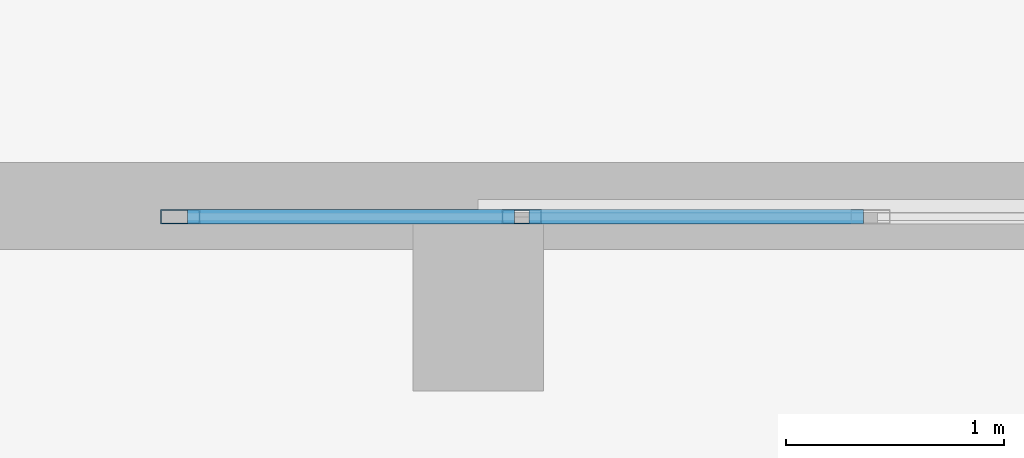
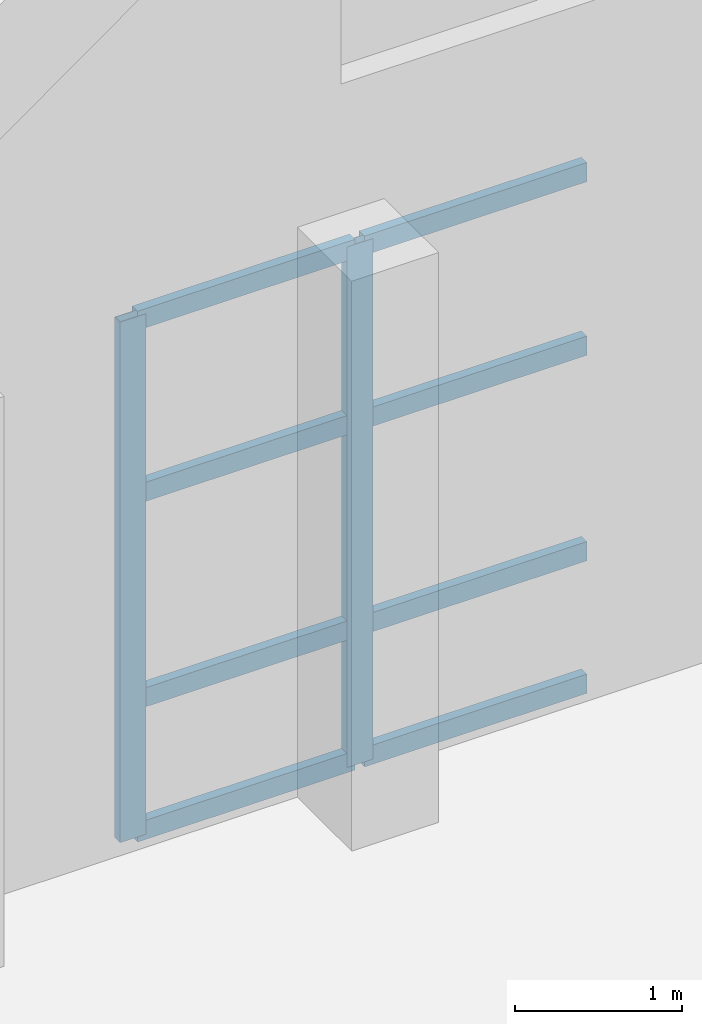
# One storey, part 19 of 114: 10 members, 1 element without a shape of its own.
"""IFC4 building model written with IfcOpenShell, lengths in metres."""

from ifc_helpers import new_model, si_unit, direction, frame, origin, origin_2d, place, context, subcontext, project, spatial, hollow_rectangle, extrude, material, layer, layer_set, material_profile, profile_set, type_object, element, aggregate, save


model = new_model("IFC4")

# Units and contexts
model_context = context("Model", 3, precision=1e-05, world=origin(), true_north=direction((0.0, 1.0)))
body_context = subcontext(model_context, "Body", "Model", "MODEL_VIEW")
ifc_project = project(units=[si_unit("LENGTHUNIT", "METRE"), si_unit("AREAUNIT", "SQUARE_METRE"), si_unit("VOLUMEUNIT", "CUBIC_METRE"), si_unit("PLANEANGLEUNIT", "RADIAN"), si_unit("MASSUNIT", "GRAM", prefix="KILO")], contexts=[model_context])

# Site, building, storey
site_placement = place(None, origin())
site = spatial("IfcSite", under=ifc_project, at=site_placement, CompositionType="ELEMENT")
building_placement = place(site_placement, origin())
building = spatial("IfcBuilding", under=site, at=building_placement, Name="Keldmere Railside Commons", CompositionType="ELEMENT")
storey_placement = place(building_placement, origin())
storey = spatial("IfcBuildingStorey", under=building, at=storey_placement, Name="L00", CompositionType="ELEMENT", Elevation=0.0)

# Curtain wall, members
ifc_material = material(Name="Thermally Broken Aluminium", Category="aluminium")
ifc_layer = layer(ifc_material, 0.159912109375, Name="Community Hall Foyer Glazed Screen CW 4800x3800")
ifc_layer_set = layer_set([ifc_layer], Name="Thermally Broken Aluminium")
curtain_wall_type = type_object("IfcCurtainWallType", Name="Community Hall Foyer Glazed Screen CW 4800x3800", PredefinedType="NOTDEFINED", material=ifc_layer_set)
curtain_wall_placement = place(storey_placement, origin())
curtain_wall = element("IfcCurtainWall", 1, at=curtain_wall_placement, inside=storey, type_object=curtain_wall_type, Name="CW-05 CW-L00-211", PredefinedType="NOTDEFINED")
ifc_material_profile_1 = material_profile(ifc_material, hollow_rectangle(XDim=0.06494140625, YDim=0.179931640625, WallThickness=0.00390625, at=origin_2d()), Name="ALU-MULL-65x180")
ifc_profile_set_1 = profile_set([ifc_material_profile_1], Name="Thermally Broken Aluminium")
member_type_1 = type_object("IfcMemberType", Name="Civic Tall Curtain Wall Mullion 65x180", PredefinedType="MULLION", material=ifc_profile_set_1)
member_1_placement = place(storey_placement, frame((77.632568359375, 47.14990234375, 0.0), z_axis=(0.0, 0.0, 1.0), x_axis=(0.0, 1.0, 0.0)))
member_1 = element("IfcMember", 2, at=member_1_placement, type_object=member_type_1, Name="CW-05 mullion 1", PredefinedType="MULLION", context=body_context, shape_type="SweptSolid", body=[
    extrude(hollow_rectangle(XDim=0.06494140625, YDim=0.179931640625, WallThickness=0.00390625, at=origin_2d()), origin(), (0.0, 0.0, 1.0), 3.800048828125),
])
member_2_placement = place(storey_placement, frame((79.199951171875, 47.14990234375, 0.0), z_axis=(0.0, 0.0, 1.0), x_axis=(0.0, 1.0, 0.0)))
member_2 = element("IfcMember", 3, at=member_2_placement, type_object=member_type_1, Name="CW-05 mullion 2", PredefinedType="MULLION", context=body_context, shape_type="SweptSolid", body=[
    extrude(hollow_rectangle(XDim=0.06494140625, YDim=0.179931640625, WallThickness=0.00390625, at=origin_2d()), origin(), (0.0, 0.0, 1.0), 3.800048828125),
])
ifc_material_profile_2 = material_profile(ifc_material, hollow_rectangle(XDim=0.06494140625, YDim=0.139892578125, WallThickness=0.00390625, at=origin_2d()), Name="ALU-TRAN-65x140")
ifc_profile_set_2 = profile_set([ifc_material_profile_2], Name="Thermally Broken Aluminium")
member_type_2 = type_object("IfcMemberType", Name="Civic Tall Curtain Wall Transom 65x140", PredefinedType="USERDEFINED", material=ifc_profile_set_2)
member_3_placement = place(storey_placement, frame((77.6650390625, 47.14990234375, 0.032470703125), z_axis=(1.0, 0.0, 0.0), x_axis=(0.0, 1.0, 0.0)))
member_3 = element("IfcMember", 4, at=member_3_placement, type_object=member_type_2, Name="CW-05 transom 1.1", ObjectType="TRANSOM", PredefinedType="USERDEFINED", context=body_context, shape_type="SweptSolid", body=[
    extrude(hollow_rectangle(XDim=0.06494140625, YDim=0.139892578125, WallThickness=0.00390625, at=origin_2d()), origin(), (0.0, 0.0, 1.0), 1.50244140625),
])
member_4_placement = place(storey_placement, frame((77.6650390625, 47.14990234375, 1.0), z_axis=(1.0, 0.0, 0.0), x_axis=(0.0, 1.0, 0.0)))
member_4 = element("IfcMember", 5, at=member_4_placement, type_object=member_type_2, Name="CW-05 transom 1.2", ObjectType="TRANSOM", PredefinedType="USERDEFINED", context=body_context, shape_type="SweptSolid", body=[
    extrude(hollow_rectangle(XDim=0.06494140625, YDim=0.139892578125, WallThickness=0.00390625, at=origin_2d()), origin(), (0.0, 0.0, 1.0), 1.50244140625),
])
member_5_placement = place(storey_placement, frame((77.6650390625, 47.14990234375, 2.5), z_axis=(1.0, 0.0, 0.0), x_axis=(0.0, 1.0, 0.0)))
member_5 = element("IfcMember", 6, at=member_5_placement, type_object=member_type_2, Name="CW-05 transom 1.3", ObjectType="TRANSOM", PredefinedType="USERDEFINED", context=body_context, shape_type="SweptSolid", body=[
    extrude(hollow_rectangle(XDim=0.06494140625, YDim=0.139892578125, WallThickness=0.00390625, at=origin_2d()), origin(), (0.0, 0.0, 1.0), 1.50244140625),
])
member_6_placement = place(storey_placement, frame((77.6650390625, 47.14990234375, 3.767578125), z_axis=(1.0, 0.0, 0.0), x_axis=(0.0, 1.0, 0.0)))
member_6 = element("IfcMember", 7, at=member_6_placement, type_object=member_type_2, Name="CW-05 transom 1.4", ObjectType="TRANSOM", PredefinedType="USERDEFINED", context=body_context, shape_type="SweptSolid", body=[
    extrude(hollow_rectangle(XDim=0.06494140625, YDim=0.139892578125, WallThickness=0.00390625, at=origin_2d()), origin(), (0.0, 0.0, 1.0), 1.50244140625),
])
member_7_placement = place(storey_placement, frame((79.232421875, 47.14990234375, 0.032470703125), z_axis=(1.0, 0.0, 0.0), x_axis=(0.0, 1.0, 0.0)))
member_7 = element("IfcMember", 8, at=member_7_placement, type_object=member_type_2, Name="CW-05 transom 2.1", ObjectType="TRANSOM", PredefinedType="USERDEFINED", context=body_context, shape_type="SweptSolid", body=[
    extrude(hollow_rectangle(XDim=0.06494140625, YDim=0.139892578125, WallThickness=0.00390625, at=origin_2d()), origin(), (0.0, 0.0, 1.0), 1.53515625),
])
member_8_placement = place(storey_placement, frame((79.232421875, 47.14990234375, 1.0), z_axis=(1.0, 0.0, 0.0), x_axis=(0.0, 1.0, 0.0)))
member_8 = element("IfcMember", 9, at=member_8_placement, type_object=member_type_2, Name="CW-05 transom 2.2", ObjectType="TRANSOM", PredefinedType="USERDEFINED", context=body_context, shape_type="SweptSolid", body=[
    extrude(hollow_rectangle(XDim=0.06494140625, YDim=0.139892578125, WallThickness=0.00390625, at=origin_2d()), origin(), (0.0, 0.0, 1.0), 1.53515625),
])
member_9_placement = place(storey_placement, frame((79.232421875, 47.14990234375, 2.5), z_axis=(1.0, 0.0, 0.0), x_axis=(0.0, 1.0, 0.0)))
member_9 = element("IfcMember", 10, at=member_9_placement, type_object=member_type_2, Name="CW-05 transom 2.3", ObjectType="TRANSOM", PredefinedType="USERDEFINED", context=body_context, shape_type="SweptSolid", body=[
    extrude(hollow_rectangle(XDim=0.06494140625, YDim=0.139892578125, WallThickness=0.00390625, at=origin_2d()), origin(), (0.0, 0.0, 1.0), 1.53515625),
])
member_10_placement = place(storey_placement, frame((79.232421875, 47.14990234375, 3.767578125), z_axis=(1.0, 0.0, 0.0), x_axis=(0.0, 1.0, 0.0)))
member_10 = element("IfcMember", 11, at=member_10_placement, type_object=member_type_2, Name="CW-05 transom 2.4", ObjectType="TRANSOM", PredefinedType="USERDEFINED", context=body_context, shape_type="SweptSolid", body=[
    extrude(hollow_rectangle(XDim=0.06494140625, YDim=0.139892578125, WallThickness=0.00390625, at=origin_2d()), origin(), (0.0, 0.0, 1.0), 1.53515625),
])
aggregate(curtain_wall, [member_1, member_2, member_3, member_4, member_5, member_6, member_7, member_8, member_9, member_10])

save(model, "model.ifc")
